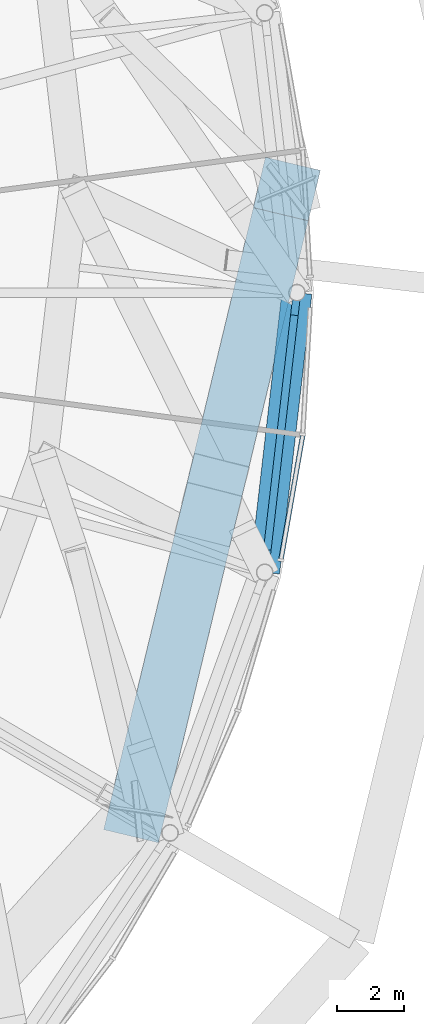
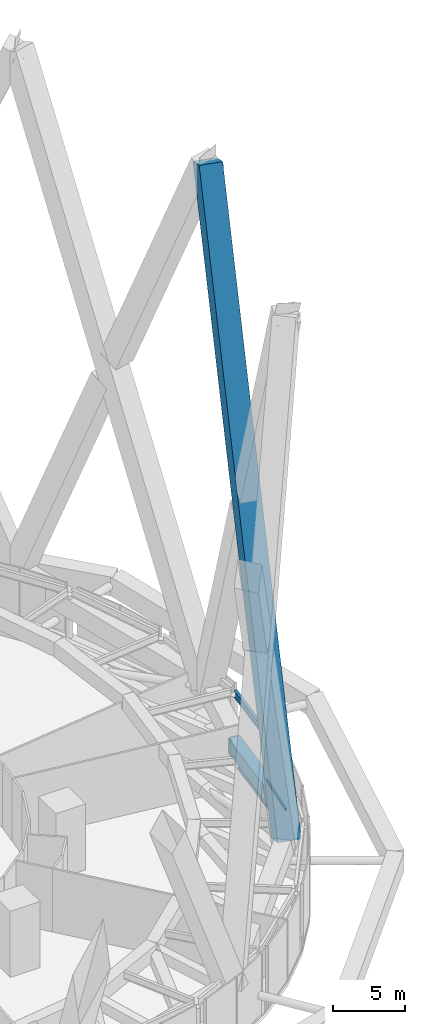
# One storey, part 25 of 51: 3 beams, 2 members, 1 element without a shape of its own.
"""IFC4 building model written with IfcOpenShell, lengths in metres."""

from ifc_helpers import new_model, si_unit, direction, frame, origin, origin_2d, place, context, subcontext, project, spatial, rectangle, hollow_rectangle, i_section, extrude, material, layer, layer_set, material_profile, profile_set, type_object, element, aggregate, save


model = new_model("IFC4")

# Units and contexts
model_context = context("Model", 3, precision=1e-05, world=origin(), true_north=direction((0.0, 1.0)))
body_context = subcontext(model_context, "Body", "Model", "MODEL_VIEW")
ifc_project = project(units=[si_unit("LENGTHUNIT", "METRE"), si_unit("AREAUNIT", "SQUARE_METRE"), si_unit("VOLUMEUNIT", "CUBIC_METRE"), si_unit("PLANEANGLEUNIT", "RADIAN"), si_unit("MASSUNIT", "GRAM", prefix="KILO")], contexts=[model_context])

# Site, building, storey
site_placement = place(None, origin())
site = spatial("IfcSite", under=ifc_project, at=site_placement, CompositionType="ELEMENT")
building_placement = place(site_placement, origin())
building = spatial("IfcBuilding", under=site, at=building_placement, Name="Nagisa Residences", CompositionType="ELEMENT")
storey_placement = place(building_placement, frame((0.0, 0.0, 67.699951171875)))
storey = spatial("IfcBuildingStorey", under=building, at=storey_placement, Name="L16", CompositionType="ELEMENT", Elevation=67.699951171875)

# Beam
ifc_material_1 = material(Name="Steel ASTM A572 Gr 50", Category="steel")
ifc_material_profile_1 = material_profile(ifc_material_1, hollow_rectangle(XDim=0.89990234375, YDim=1.199951171875, WallThickness=0.050048828125, at=origin_2d()), Name="BX 900x1200x50")
ifc_profile_set_1 = profile_set([ifc_material_profile_1], Name="Steel ASTM A572 Gr 50")
beam_type_1 = type_object("IfcBeamType", Name="Belt chord 1 BX 900x1200x50", PredefinedType="BEAM", material=ifc_profile_set_1)
beam_1_placement = place(storey_placement, frame((31.12890625, -8.41162109375, 0.60009765625), z_axis=(0.114696336662, 0.993400599132, 0.0), x_axis=(-0.993400599132, 0.114696336662, 0.0)))
element("IfcBeam", 1, at=beam_1_placement, inside=storey, type_object=beam_type_1, Name="beam:L16:bt1b24", PredefinedType="BEAM", context=body_context, shape_type="SweptSolid", body=[
    extrude(hollow_rectangle(XDim=0.89990234375, YDim=1.199951171875, WallThickness=0.050048828125, at=origin_2d()), origin(), (0.0, 0.0, 1.0), 8.467529296875),
])

# Curtain wall, member
ifc_material_2 = material(Name="Aluminium curtain wall system", Category="aluminium")
ifc_layer = layer(ifc_material_2, 0.159912109375)
ifc_layer_set = layer_set([ifc_layer], Name="CW2 CURTAIN WALL")
curtain_wall_type = type_object("IfcCurtainWallType", Name="CW2 CURTAIN WALL", PredefinedType="NOTDEFINED", material=ifc_layer_set)
curtain_wall_placement = place(storey_placement, origin())
curtain_wall = element("IfcCurtainWall", 2, at=curtain_wall_placement, inside=storey, type_object=curtain_wall_type, Name="cw:CW2:L16:46", PredefinedType="NOTDEFINED")
ifc_material_3 = material(Name="Aluminium", Category="aluminium")
ifc_material_profile_2 = material_profile(ifc_material_3, rectangle(XDim=0.139892578125, YDim=0.179931640625, at=origin_2d()), Name="CW2 TRANSOM 140x180")
ifc_profile_set_2 = profile_set([ifc_material_profile_2], Name="Aluminium")
member_type_1 = type_object("IfcMemberType", Name="CW2 TRANSOM 140x180", PredefinedType="USERDEFINED", material=ifc_profile_set_2)
member_1_placement = place(storey_placement, frame((31.610595703125, -8.083984375, 0.090087890625), z_axis=(0.172203330757, 0.985061425941, 0.0), x_axis=(-0.985061425941, 0.172203330757, 0.0)))
member_1 = element("IfcMember", 3, at=member_1_placement, type_object=member_type_1, Name="CW2 transom", ObjectType="TRANSOM", PredefinedType="USERDEFINED", context=body_context, shape_type="SweptSolid", body=[
    extrude(rectangle(XDim=0.139892578125, YDim=0.179931640625, at=origin_2d()), origin(), (0.0, 0.0, 1.0), 3.84765625),
])
aggregate(curtain_wall, [member_1])

# Member
ifc_material_4 = material(Name="Concrete C80", Category="concrete")
ifc_material_profile_3 = material_profile(ifc_material_4, rectangle(XDim=1.699951171875, YDim=1.699951171875, at=origin_2d()), Name="C80 1700x1700")
ifc_profile_set_3 = profile_set([ifc_material_profile_3], Name="Concrete C80")
member_type_2 = type_object("IfcMemberType", Name="Cage diagonal 2 C80 1700x1700", PredefinedType="BRACE", material=ifc_profile_set_3)
member_2_placement = place(storey_placement, frame((27.294189453125, -15.58984375, 3.699951171875), z_axis=(0.092833582363, 0.385867430548, 0.917871587984), x_axis=(-0.972258273749, 0.233909916693, 0.0)))
element("IfcMember", 4, at=member_2_placement, inside=storey, type_object=member_type_2, Name="mem:L16:cg2d023", PredefinedType="BRACE", context=body_context, shape_type="SweptSolid", body=[
    extrude(rectangle(XDim=1.699951171875, YDim=1.699951171875, at=origin_2d()), origin(), (0.0, 0.0, 1.0), 48.481689453125),
])

# Beams
ifc_material_5 = material(Name="Steel ASTM A572 Gr 50", Category="steel")
ifc_material_profile_4 = material_profile(ifc_material_5, i_section(OverallWidth=0.22802734375, OverallDepth=0.60302734375, WebThickness=0.010498046875, FlangeThickness=0.014892578125, at=origin_2d()), Name="W610x101")
ifc_profile_set_4 = profile_set([ifc_material_profile_4], Name="Steel ASTM A572 Gr 50")
beam_type_2 = type_object("IfcBeamType", Name="Garden edge beam W610x101", PredefinedType="BEAM", material=ifc_profile_set_4)
beam_2_placement = place(storey_placement, frame((31.15576171875, -8.17919921875, 5.03857421875), z_axis=(0.114691294599, 0.993401181267, 0.0), x_axis=(-0.993401181267, 0.114691294599, 0.0)))
element("IfcBeam", 5, at=beam_2_placement, inside=storey, type_object=beam_type_2, Name="beam:L16:bt1ge24", PredefinedType="BEAM", context=body_context, shape_type="SweptSolid", body=[
    extrude(i_section(OverallWidth=0.22802734375, OverallDepth=0.60302734375, WebThickness=0.010498046875, FlangeThickness=0.014892578125, at=origin_2d()), origin(), (0.0, 0.0, 1.0), 7.99951171875),
])
ifc_material_6 = material(Name="Steel ASTM A572 Gr 50", Category="steel")
ifc_material_profile_5 = material_profile(ifc_material_6, i_section(OverallWidth=0.22900390625, OverallDepth=0.612060546875, WebThickness=0.011962890625, FlangeThickness=0.01953125, at=origin_2d()), Name="W610x125")
ifc_profile_set_5 = profile_set([ifc_material_profile_5], Name="Steel ASTM A572 Gr 50")
beam_type_3 = type_object("IfcBeamType", Name="Perimeter ring beam W610x125", PredefinedType="BEAM", material=ifc_profile_set_5)
beam_3_placement = place(storey_placement, frame((31.20751953125, -7.7314453125, -0.656005859375), z_axis=(0.114673717321, 0.993403210462, 0.0), x_axis=(-0.993403210462, 0.114673717321, 0.0)))
element("IfcBeam", 6, at=beam_3_placement, inside=storey, type_object=beam_type_3, Name="beam:L16:pb24", PredefinedType="BEAM", context=body_context, shape_type="SweptSolid", body=[
    extrude(i_section(OverallWidth=0.22900390625, OverallDepth=0.612060546875, WebThickness=0.011962890625, FlangeThickness=0.01953125, at=origin_2d()), origin(), (0.0, 0.0, 1.0), 7.09814453125),
])

save(model, "model.ifc")
